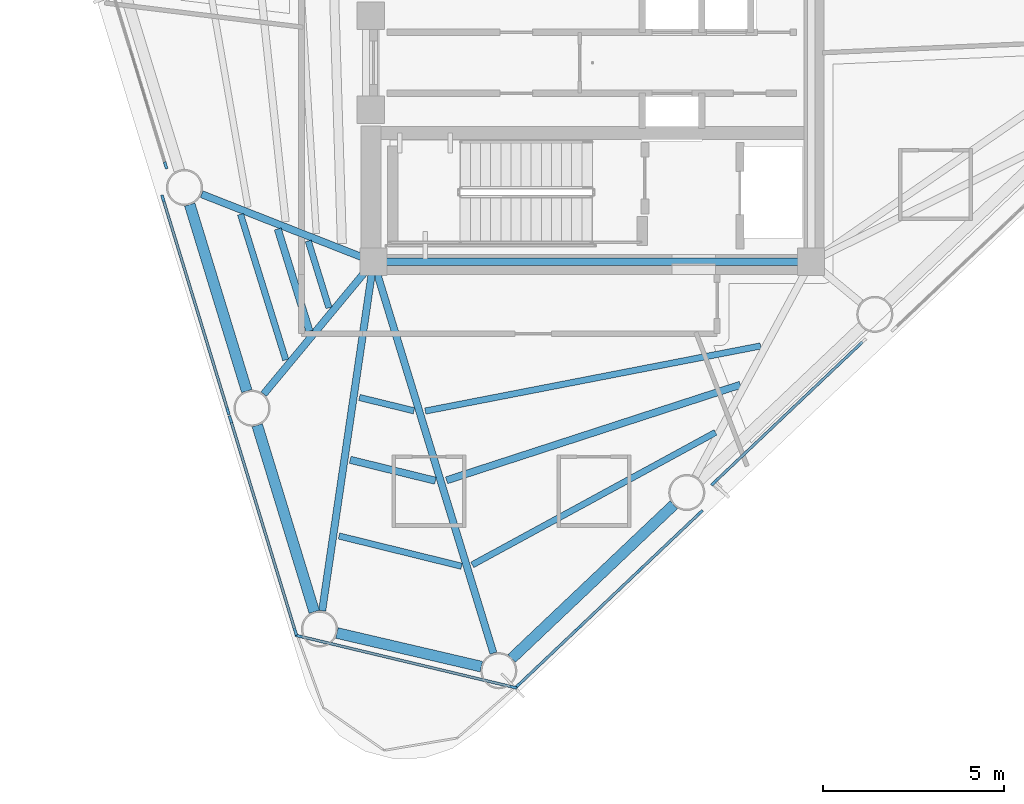
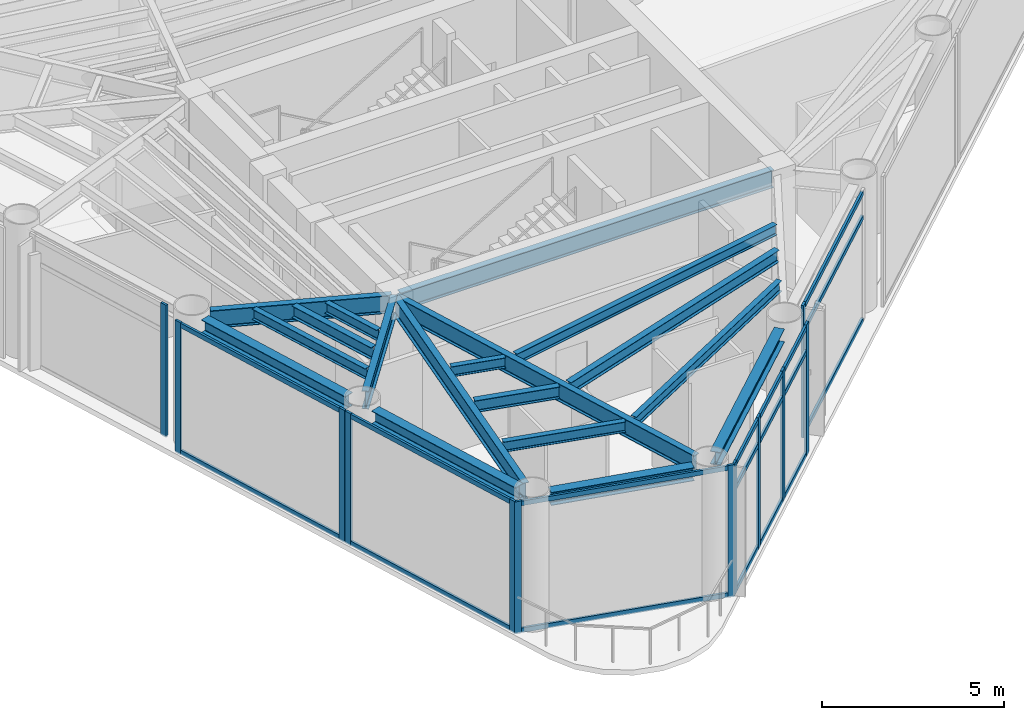
# One storey, part 2 of 11: 30 members, 18 beams, 6 elements without a shape of their own.
"""IFC4 building model written with IfcOpenShell, lengths in metres."""

from ifc_helpers import new_model, si_unit, direction, frame, origin, origin_2d, place, context, subcontext, project, spatial, rectangle, i_section, extrude, source, transform, mapped, material, layer, layer_set, material_profile, profile_set, type_object, element, aggregate, save


model = new_model("IFC4")

# Units and contexts
model_context = context("Model", 3, precision=1e-05, world=origin(), true_north=direction((0.0, 1.0)))
body_context = subcontext(model_context, "Body", "Model", "MODEL_VIEW")
ifc_project = project(units=[si_unit("LENGTHUNIT", "METRE"), si_unit("AREAUNIT", "SQUARE_METRE"), si_unit("VOLUMEUNIT", "CUBIC_METRE"), si_unit("PLANEANGLEUNIT", "RADIAN"), si_unit("MASSUNIT", "GRAM", prefix="KILO")], contexts=[model_context])

# Site, building, storey
site_placement = place(None, origin())
site = spatial("IfcSite", under=ifc_project, at=site_placement, CompositionType="ELEMENT")
building_placement = place(site_placement, origin())
building = spatial("IfcBuilding", under=site, at=building_placement, Name="Yunling Apex Tower", CompositionType="ELEMENT")
storey_placement = place(building_placement, frame((0.0, 0.0, 224.14990234375)))
storey = spatial("IfcBuildingStorey", under=building, at=storey_placement, Name="L54", CompositionType="ELEMENT", Elevation=224.14990234375)

# Beams
ifc_material_1 = material(Name="Steel Q355B", Category="steel")
ifc_material_profile_1 = material_profile(ifc_material_1, i_section(OverallWidth=0.199951171875, OverallDepth=0.60009765625, WebThickness=0.010986328125, FlangeThickness=0.01708984375, FilletRadius=0.02197265625, at=origin_2d()))
ifc_profile_set_1 = profile_set([ifc_material_profile_1], Name="Steel Q355B")
beam_type_1 = type_object("IfcBeamType", Name="BG-PRI-5", PredefinedType="USERDEFINED", material=ifc_profile_set_1)
shared_shape_1 = source(origin(), body_context, "Body", "SweptSolid", [
    extrude(i_section(OverallWidth=0.199951171875, OverallDepth=0.60009765625, WebThickness=0.010986328125, FlangeThickness=0.01708984375, FilletRadius=0.02197265625, at=origin_2d()), origin(), (0.0, 0.0, 1.0), 11.7998046875),
])
beam_1_placement = place(storey_placement, frame((-5.89990234375, -5.5, 4.02001953125), z_axis=(1.0, 0.0, 0.0), x_axis=(0.0, 1.0, 0.0)))
element("IfcBeam", 1, at=beam_1_placement, inside=storey, type_object=beam_type_1, Name="L54 Core Ring Tie Beam 1", ObjectType="GIRDER", PredefinedType="USERDEFINED", context=body_context, shape_type="MappedRepresentation", body=[
    mapped(shared_shape_1, transform((0.0, 0.0, 0.0), scale=1.0)),
])
ifc_material_profile_2 = material_profile(ifc_material_1, i_section(OverallWidth=0.300048828125, OverallDepth=0.43994140625, WebThickness=0.010986328125, FlangeThickness=0.01806640625, FilletRadius=0.02197265625, at=origin_2d()))
ifc_profile_set_2 = profile_set([ifc_material_profile_2], Name="Steel Q355B")
beam_type_2 = type_object("IfcBeamType", Name="BP-SPN-3", PredefinedType="SPANDREL", material=ifc_profile_set_2)
shared_shape_2 = source(origin(), body_context, "Body", "SweptSolid", [
    extrude(i_section(OverallWidth=0.300048828125, OverallDepth=0.43994140625, WebThickness=0.010986328125, FlangeThickness=0.01806640625, FilletRadius=0.02197265625, at=origin_2d()), origin(), (0.0, 0.0, 1.0), 6.17333984375),
])
beam_2_placement = place(storey_placement, frame((-2.228759765625, -16.468017578125, 4.10009765625), z_axis=(0.725853952128, 0.687848849807, 0.0), x_axis=(-0.687848849807, 0.725853952128, 0.0)))
element("IfcBeam", 2, at=beam_2_placement, inside=storey, type_object=beam_type_2, Name="L54 Perimeter Spandrel Beam 1", PredefinedType="SPANDREL", context=body_context, shape_type="MappedRepresentation", body=[
    mapped(shared_shape_2, transform((0.0, 0.0, 0.0), scale=1.0)),
])
shared_shape_3 = source(origin(), body_context, "Body", "SweptSolid", [
    extrude(i_section(OverallWidth=0.300048828125, OverallDepth=0.43994140625, WebThickness=0.010986328125, FlangeThickness=0.01806640625, FilletRadius=0.02197265625, at=origin_2d()), origin(), (0.0, 0.0, 1.0), 4.1015625),
])
beam_3_placement = place(storey_placement, frame((-7.06298828125, -15.765380859375, 4.10009765625), z_axis=(0.973930702249, -0.226845734401, 0.0), x_axis=(0.226845734401, 0.973930702249, 0.0)))
element("IfcBeam", 3, at=beam_3_placement, inside=storey, type_object=beam_type_2, Name="L54 Perimeter Spandrel Beam 15", PredefinedType="SPANDREL", context=body_context, shape_type="MappedRepresentation", body=[
    mapped(shared_shape_3, transform((0.0, 0.0, 0.0), scale=1.0)),
])
shared_shape_4 = source(origin(), body_context, "Body", "SweptSolid", [
    extrude(i_section(OverallWidth=0.300048828125, OverallDepth=0.43994140625, WebThickness=0.010986328125, FlangeThickness=0.01806640625, FilletRadius=0.02197265625, at=origin_2d()), origin(), (0.0, 0.0, 1.0), 5.393798828125),
])
for number, where, z_axis, x_axis, name in (
    (4, (-11.13134765625, -3.919921875, 4.10009765625), (0.292405975038, -0.956294277805, 0.0), (0.956294277805, 0.292405975038, 0.0), "L54 Perimeter Spandrel Beam 13"),
    (5, (-9.265380859375, -10.022705078125, 4.10009765625), (0.292351925226, -0.956310802938, 0.0), (0.956310802938, 0.292351925226, 0.0), "L54 Perimeter Spandrel Beam 14"),
):
    element("IfcBeam", number, at=place(storey_placement, frame(where, z_axis=z_axis, x_axis=x_axis)), inside=storey, type_object=beam_type_2, Name=name, PredefinedType="SPANDREL", context=body_context, shape_type="MappedRepresentation", body=[
        mapped(shared_shape_4, transform((0.0, 0.0, 0.0), scale=1.0)),
    ])
shared_shape_5 = source(origin(), body_context, "Body", "SweptSolid", [
    extrude(i_section(OverallWidth=0.199951171875, OverallDepth=0.60009765625, WebThickness=0.010986328125, FlangeThickness=0.01708984375, FilletRadius=0.02197265625, at=origin_2d()), origin(), (0.0, 0.0, 1.0), 11.23828125),
])
beam_4_placement = place(storey_placement, frame((-2.736083984375, -16.322265625, 4.02001953125), z_axis=(-0.292794126511, 0.956175506631, 0.0), x_axis=(-0.956175506631, -0.292794126511, 0.0)))
element("IfcBeam", 6, at=beam_4_placement, inside=storey, type_object=beam_type_1, Name="L54 Radial Primary Girder R01", ObjectType="GIRDER", PredefinedType="USERDEFINED", context=body_context, shape_type="MappedRepresentation", body=[
    mapped(shared_shape_5, transform((0.0, 0.0, 0.0), scale=1.0)),
])
shared_shape_6 = source(origin(), body_context, "Body", "SweptSolid", [
    extrude(i_section(OverallWidth=0.199951171875, OverallDepth=0.60009765625, WebThickness=0.010986328125, FlangeThickness=0.01708984375, FilletRadius=0.02197265625, at=origin_2d()), origin(), (0.0, 0.0, 1.0), 5.0263671875),
])
beam_5_placement = place(storey_placement, frame((-10.802978515625, -3.633056640625, 4.02001953125), z_axis=(0.930773335483, -0.365596769617, 0.0), x_axis=(0.365596769617, 0.930773335483, 0.0)))
element("IfcBeam", 7, at=beam_5_placement, inside=storey, type_object=beam_type_1, Name="L54 Radial Primary Girder R13", ObjectType="GIRDER", PredefinedType="USERDEFINED", context=body_context, shape_type="MappedRepresentation", body=[
    mapped(shared_shape_6, transform((0.0, 0.0, 0.0), scale=1.0)),
])
shared_shape_7 = source(origin(), body_context, "Body", "SweptSolid", [
    extrude(i_section(OverallWidth=0.199951171875, OverallDepth=0.60009765625, WebThickness=0.010986328125, FlangeThickness=0.01708984375, FilletRadius=0.02197265625, at=origin_2d()), origin(), (0.0, 0.0, 1.0), 4.6748046875),
])
beam_6_placement = place(storey_placement, frame((-9.085693359375, -9.159423828125, 4.02001953125), z_axis=(0.63846190647, 0.769653424593, 0.0), x_axis=(-0.769653424593, 0.63846190647, 0.0)))
element("IfcBeam", 8, at=beam_6_placement, inside=storey, type_object=beam_type_1, Name="L54 Radial Primary Girder R14", ObjectType="GIRDER", PredefinedType="USERDEFINED", context=body_context, shape_type="MappedRepresentation", body=[
    mapped(shared_shape_7, transform((0.0, 0.0, 0.0), scale=1.0)),
])
shared_shape_8 = source(origin(), body_context, "Body", "SweptSolid", [
    extrude(i_section(OverallWidth=0.199951171875, OverallDepth=0.60009765625, WebThickness=0.010986328125, FlangeThickness=0.01708984375, FilletRadius=0.02197265625, at=origin_2d()), origin(), (0.0, 0.0, 1.0), 9.6748046875),
])
beam_7_placement = place(storey_placement, frame((-7.469970703125, -15.15087890625, 4.02001953125), z_axis=(0.145578261909, 0.989346738843, 0.0), x_axis=(-0.989346738843, 0.145578261909, 0.0)))
element("IfcBeam", 9, at=beam_7_placement, inside=storey, type_object=beam_type_1, Name="L54 Radial Primary Girder R15", ObjectType="GIRDER", PredefinedType="USERDEFINED", context=body_context, shape_type="MappedRepresentation", body=[
    mapped(shared_shape_8, transform((0.0, 0.0, 0.0), scale=1.0)),
])
ifc_material_profile_3 = material_profile(ifc_material_1, i_section(OverallWidth=0.199951171875, OverallDepth=0.39990234375, WebThickness=0.008056640625, FlangeThickness=0.012939453125, FilletRadius=0.01611328125, at=origin_2d()))
ifc_profile_set_3 = profile_set([ifc_material_profile_3], Name="Steel Q355B")
beam_type_3 = type_object("IfcBeamType", Name="BS-SEC-4", PredefinedType="BEAM", material=ifc_profile_set_3)
shared_shape_9 = source(origin(), body_context, "Body", "SweptSolid", [
    extrude(i_section(OverallWidth=0.199951171875, OverallDepth=0.39990234375, WebThickness=0.008056640625, FlangeThickness=0.012939453125, FilletRadius=0.01611328125, at=origin_2d()), origin(), (0.0, 0.0, 1.0), 8.540283203125),
])
beam_8_placement = place(storey_placement, frame((-4.03173828125, -11.544677734375, 4.1201171875), z_axis=(0.950990153104, 0.309221164702, 0.0), x_axis=(-0.309221164702, 0.950990153104, 0.0)))
element("IfcBeam", 10, at=beam_8_placement, inside=storey, type_object=beam_type_3, Name="L54 Composite Floor Beam BS-1", PredefinedType="BEAM", context=body_context, shape_type="MappedRepresentation", body=[
    mapped(shared_shape_9, transform((0.0, 0.0, 0.0), scale=1.0)),
])
ifc_material_profile_4 = material_profile(ifc_material_1, i_section(OverallWidth=0.175048828125, OverallDepth=0.35009765625, WebThickness=0.007080078125, FlangeThickness=0.010986328125, FilletRadius=0.013916015625, at=origin_2d()))
ifc_profile_set_4 = profile_set([ifc_material_profile_4], Name="Steel Q355B")
beam_type_4 = type_object("IfcBeamType", Name="BJ-JST-1", PredefinedType="JOIST", material=ifc_profile_set_4)
shared_shape_10 = source(origin(), body_context, "Body", "SweptSolid", [
    extrude(i_section(OverallWidth=0.175048828125, OverallDepth=0.35009765625, WebThickness=0.007080078125, FlangeThickness=0.010986328125, FilletRadius=0.013916015625, at=origin_2d()), origin(), (0.0, 0.0, 1.0), 7.657470703125),
])
beam_9_placement = place(storey_placement, frame((-3.3193359375, -13.881591796875, 4.14501953125), z_axis=(0.878333844235, 0.478047757104, 0.0), x_axis=(-0.478047757104, 0.878333844235, 0.0)))
element("IfcBeam", 11, at=beam_9_placement, inside=storey, type_object=beam_type_4, Name="L54 Composite Floor Joist BJ1-1", PredefinedType="JOIST", context=body_context, shape_type="MappedRepresentation", body=[
    mapped(shared_shape_10, transform((0.0, 0.0, 0.0), scale=1.0)),
])
shared_shape_11 = source(origin(), body_context, "Body", "SweptSolid", [
    extrude(i_section(OverallWidth=0.175048828125, OverallDepth=0.35009765625, WebThickness=0.007080078125, FlangeThickness=0.010986328125, FilletRadius=0.013916015625, at=origin_2d()), origin(), (0.0, 0.0, 1.0), 9.4462890625),
])
beam_10_placement = place(storey_placement, frame((-4.619140625, -9.62939453125, 4.14501953125), z_axis=(0.981676272709, 0.190556279353, 0.0), x_axis=(-0.190556279353, 0.981676272709, 0.0)))
element("IfcBeam", 12, at=beam_10_placement, inside=storey, type_object=beam_type_4, Name="L54 Composite Floor Joist BJ3-1", PredefinedType="JOIST", context=body_context, shape_type="MappedRepresentation", body=[
    mapped(shared_shape_11, transform((0.0, 0.0, 0.0), scale=1.0)),
])
shared_shape_12 = source(origin(), body_context, "Body", "SweptSolid", [
    extrude(i_section(OverallWidth=0.199951171875, OverallDepth=0.39990234375, WebThickness=0.008056640625, FlangeThickness=0.012939453125, FilletRadius=0.01611328125, at=origin_2d()), origin(), (0.0, 0.0, 1.0), 2.9619140625),
])
beam_11_placement = place(storey_placement, frame((-8.697021484375, -4.594482421875, 4.1201171875), z_axis=(0.296152913488, -0.955140540356, 0.0), x_axis=(0.955140540356, 0.296152913488, 0.0)))
element("IfcBeam", 13, at=beam_11_placement, inside=storey, type_object=beam_type_3, Name="L54 Composite Floor Beam BS-13", PredefinedType="BEAM", context=body_context, shape_type="MappedRepresentation", body=[
    mapped(shared_shape_12, transform((0.0, 0.0, 0.0), scale=1.0)),
])
shared_shape_13 = source(origin(), body_context, "Body", "SweptSolid", [
    extrude(i_section(OverallWidth=0.175048828125, OverallDepth=0.35009765625, WebThickness=0.007080078125, FlangeThickness=0.010986328125, FilletRadius=0.013916015625, at=origin_2d()), origin(), (0.0, 0.0, 1.0), 4.21435546875),
])
beam_12_placement = place(storey_placement, frame((-9.726318359375, -4.190185546875, 4.14501953125), z_axis=(0.296539510889, -0.955020585371, 0.0), x_axis=(0.955020585371, 0.296539510889, 0.0)))
element("IfcBeam", 14, at=beam_12_placement, inside=storey, type_object=beam_type_4, Name="L54 Composite Floor Joist BJ1-13", PredefinedType="JOIST", context=body_context, shape_type="MappedRepresentation", body=[
    mapped(shared_shape_13, transform((0.0, 0.0, 0.0), scale=1.0)),
])
shared_shape_14 = source(origin(), body_context, "Body", "SweptSolid", [
    extrude(i_section(OverallWidth=0.175048828125, OverallDepth=0.35009765625, WebThickness=0.007080078125, FlangeThickness=0.010986328125, FilletRadius=0.013916015625, at=origin_2d()), origin(), (0.0, 0.0, 1.0), 1.93701171875),
])
beam_13_placement = place(storey_placement, frame((-7.85498046875, -4.92529296875, 4.14501953125), z_axis=(0.295546803782, -0.955328261266, 0.0), x_axis=(0.955328261266, 0.295546803782, 0.0)))
element("IfcBeam", 15, at=beam_13_placement, inside=storey, type_object=beam_type_4, Name="L54 Composite Floor Joist BJ3-13", PredefinedType="JOIST", context=body_context, shape_type="MappedRepresentation", body=[
    mapped(shared_shape_14, transform((0.0, 0.0, 0.0), scale=1.0)),
])
shared_shape_15 = source(origin(), body_context, "Body", "SweptSolid", [
    extrude(i_section(OverallWidth=0.199951171875, OverallDepth=0.39990234375, WebThickness=0.008056640625, FlangeThickness=0.012939453125, FilletRadius=0.01611328125, at=origin_2d()), origin(), (0.0, 0.0, 1.0), 2.42578125),
])
beam_14_placement = place(storey_placement, frame((-6.69482421875, -10.977294921875, 4.1201171875), z_axis=(0.971134786196, -0.23853139634, 0.0), x_axis=(0.23853139634, 0.971134786196, 0.0)))
element("IfcBeam", 16, at=beam_14_placement, inside=storey, type_object=beam_type_3, Name="L54 Composite Floor Beam BS-15", PredefinedType="BEAM", context=body_context, shape_type="MappedRepresentation", body=[
    mapped(shared_shape_15, transform((0.0, 0.0, 0.0), scale=1.0)),
])
shared_shape_16 = source(origin(), body_context, "Body", "SweptSolid", [
    extrude(i_section(OverallWidth=0.175048828125, OverallDepth=0.35009765625, WebThickness=0.007080078125, FlangeThickness=0.010986328125, FilletRadius=0.013916015625, at=origin_2d()), origin(), (0.0, 0.0, 1.0), 3.4912109375),
])
beam_15_placement = place(storey_placement, frame((-7.0048828125, -13.08349609375, 4.14501953125), z_axis=(0.970878392095, -0.239572844376, 0.0), x_axis=(0.239572844376, 0.970878392095, 0.0)))
element("IfcBeam", 17, at=beam_15_placement, inside=storey, type_object=beam_type_4, Name="L54 Composite Floor Joist BJ1-15", PredefinedType="JOIST", context=body_context, shape_type="MappedRepresentation", body=[
    mapped(shared_shape_16, transform((0.0, 0.0, 0.0), scale=1.0)),
])
shared_shape_17 = source(origin(), body_context, "Body", "SweptSolid", [
    extrude(i_section(OverallWidth=0.175048828125, OverallDepth=0.35009765625, WebThickness=0.007080078125, FlangeThickness=0.010986328125, FilletRadius=0.013916015625, at=origin_2d()), origin(), (0.0, 0.0, 1.0), 1.553955078125),
])
beam_16_placement = place(storey_placement, frame((-6.44140625, -9.254150390625, 4.14501953125), z_axis=(0.971567073494, -0.23676448573, 0.0), x_axis=(0.23676448573, 0.971567073494, 0.0)))
element("IfcBeam", 18, at=beam_16_placement, inside=storey, type_object=beam_type_4, Name="L54 Composite Floor Joist BJ3-15", PredefinedType="JOIST", context=body_context, shape_type="MappedRepresentation", body=[
    mapped(shared_shape_17, transform((0.0, 0.0, 0.0), scale=1.0)),
])

# Curtain wall, members
ifc_material_2 = material(Name="Bronze anodised aluminium", Category="aluminium")
ifc_layer = layer(ifc_material_2, 0.199951171875)
ifc_layer_set = layer_set([ifc_layer], Name="Bronze anodised aluminium")
curtain_wall_type = type_object("IfcCurtainWallType", Name="CW-SYS-5", PredefinedType="NOTDEFINED", material=ifc_layer_set)
curtain_wall_1_placement = place(storey_placement, origin())
curtain_wall_1 = element("IfcCurtainWall", 19, at=curtain_wall_1_placement, inside=storey, type_object=curtain_wall_type, Name="CW-L54-F1-B1", PredefinedType="NOTDEFINED")
ifc_material_profile_5 = material_profile(ifc_material_2, rectangle(XDim=0.074951171875, YDim=0.199951171875, at=origin_2d()))
ifc_profile_set_5 = profile_set([ifc_material_profile_5], Name="Bronze anodised aluminium")
member_type_1 = type_object("IfcMemberType", Name="CW-MUL-5", PredefinedType="MULLION", material=ifc_profile_set_5)
shared_shape_18 = source(origin(), body_context, "Body", "SweptSolid", [
    extrude(rectangle(XDim=0.074951171875, YDim=0.199951171875, at=origin_2d()), origin(), (0.0, 0.0, 1.0), 4.419921875),
])
member_1_placement = place(storey_placement, frame((-2.048095703125, -17.2060546875, -0.0498046875), z_axis=(0.0, 0.0, 1.0), x_axis=(-0.687848040467, 0.72585471909, 0.0)))
member_1 = element("IfcMember", 20, at=member_1_placement, type_object=member_type_1, Name="CW-SYS-5 mullion 1", PredefinedType="MULLION", context=body_context, shape_type="MappedRepresentation", body=[
    mapped(shared_shape_18, transform((0.0, 0.0, 0.0), scale=1.0)),
])
member_2_placement = place(storey_placement, frame((-0.38134765625, -15.626708984375, -0.0498046875), z_axis=(0.0, 0.0, 1.0), x_axis=(-0.687848040467, 0.72585471909, 0.0)))
member_2 = element("IfcMember", 21, at=member_2_placement, type_object=member_type_1, Name="CW-SYS-5 mullion 2", PredefinedType="MULLION", context=body_context, shape_type="MappedRepresentation", body=[
    mapped(shared_shape_18, transform((0.0, 0.0, 0.0), scale=1.0)),
])
member_3_placement = place(storey_placement, frame((1.312744140625, -14.021240234375, -0.0498046875), z_axis=(0.0, 0.0, 1.0), x_axis=(-0.687848040467, 0.72585471909, 0.0)))
member_3 = element("IfcMember", 22, at=member_3_placement, type_object=member_type_1, Name="CW-SYS-5 mullion 3", PredefinedType="MULLION", context=body_context, shape_type="MappedRepresentation", body=[
    mapped(shared_shape_18, transform((0.0, 0.0, 0.0), scale=1.0)),
])
member_4_placement = place(storey_placement, frame((2.9794921875, -12.44189453125, -0.0498046875), z_axis=(0.0, 0.0, 1.0), x_axis=(-0.687848040467, 0.72585471909, 0.0)))
member_4 = element("IfcMember", 23, at=member_4_placement, type_object=member_type_1, Name="CW-SYS-5 mullion 4", PredefinedType="MULLION", context=body_context, shape_type="MappedRepresentation", body=[
    mapped(shared_shape_18, transform((0.0, 0.0, 0.0), scale=1.0)),
])

# Curtain wall, member
curtain_wall_2_placement = place(storey_placement, origin())
curtain_wall_2 = element("IfcCurtainWall", 24, at=curtain_wall_2_placement, inside=storey, type_object=curtain_wall_type, Name="CW-L54-F1-B2", PredefinedType="NOTDEFINED")
member_5_placement = place(storey_placement, frame((3.3662109375, -11.60693359375, -0.0498046875), z_axis=(0.0, 0.0, 1.0), x_axis=(-0.687854406681, 0.725848686167, 0.0)))
member_5 = element("IfcMember", 25, at=member_5_placement, type_object=member_type_1, Name="CW-SYS-5 mullion 1", PredefinedType="MULLION", context=body_context, shape_type="MappedRepresentation", body=[
    mapped(shared_shape_18, transform((0.0, 0.0, 0.0), scale=1.0)),
])

curtain_wall_3_placement = place(storey_placement, origin())
curtain_wall_3 = element("IfcCurtainWall", 26, at=curtain_wall_3_placement, inside=storey, type_object=curtain_wall_type, Name="CW-L54-F3-B2", PredefinedType="NOTDEFINED")
member_6_placement = place(storey_placement, frame((-11.79736328125, -2.835693359375, -0.0498046875), z_axis=(0.0, 0.0, 1.0), x_axis=(0.956304345474, 0.29237304737, 0.0)))
member_6 = element("IfcMember", 27, at=member_6_placement, type_object=member_type_1, Name="CW-SYS-5 mullion 2", PredefinedType="MULLION", context=body_context, shape_type="MappedRepresentation", body=[
    mapped(shared_shape_18, transform((0.0, 0.0, 0.0), scale=1.0)),
])
aggregate(curtain_wall_3, [member_6])

# Curtain wall, members
curtain_wall_4_placement = place(storey_placement, origin())
curtain_wall_4 = element("IfcCurtainWall", 28, at=curtain_wall_4_placement, inside=storey, type_object=curtain_wall_type, Name="CW-L54-F3-B3", PredefinedType="NOTDEFINED")
member_7_placement = place(storey_placement, frame((-11.87255859375, -3.752685546875, -0.0498046875), z_axis=(0.0, 0.0, 1.0), x_axis=(0.956304646078, 0.29237206414, 0.0)))
member_7 = element("IfcMember", 29, at=member_7_placement, type_object=member_type_1, Name="CW-SYS-5 mullion 1", PredefinedType="MULLION", context=body_context, shape_type="MappedRepresentation", body=[
    mapped(shared_shape_18, transform((0.0, 0.0, 0.0), scale=1.0)),
])
member_8_placement = place(storey_placement, frame((-10.075439453125, -9.631103515625, -0.0498046875), z_axis=(0.0, 0.0, 1.0), x_axis=(0.956304646078, 0.29237206414, 0.0)))
member_8 = element("IfcMember", 30, at=member_8_placement, type_object=member_type_1, Name="CW-SYS-5 mullion 2", PredefinedType="MULLION", context=body_context, shape_type="MappedRepresentation", body=[
    mapped(shared_shape_18, transform((0.0, 0.0, 0.0), scale=1.0)),
])

curtain_wall_5_placement = place(storey_placement, origin())
curtain_wall_5 = element("IfcCurtainWall", 31, at=curtain_wall_5_placement, inside=storey, type_object=curtain_wall_type, Name="CW-L54-F3-B4", PredefinedType="NOTDEFINED")
member_9_placement = place(storey_placement, frame((-10.006591796875, -9.855712890625, -0.0498046875), z_axis=(0.0, 0.0, 1.0), x_axis=(0.956304646078, 0.29237206414, 0.0)))
member_9 = element("IfcMember", 32, at=member_9_placement, type_object=member_type_1, Name="CW-SYS-5 mullion 1", PredefinedType="MULLION", context=body_context, shape_type="MappedRepresentation", body=[
    mapped(shared_shape_18, transform((0.0, 0.0, 0.0), scale=1.0)),
])
member_10_placement = place(storey_placement, frame((-8.20947265625, -15.734130859375, -0.0498046875), z_axis=(0.0, 0.0, 1.0), x_axis=(0.956304646078, 0.29237206414, 0.0)))
member_10 = element("IfcMember", 33, at=member_10_placement, type_object=member_type_1, Name="CW-SYS-5 mullion 2", PredefinedType="MULLION", context=body_context, shape_type="MappedRepresentation", body=[
    mapped(shared_shape_18, transform((0.0, 0.0, 0.0), scale=1.0)),
])

curtain_wall_6_placement = place(storey_placement, origin())
curtain_wall_6 = element("IfcCurtainWall", 34, at=curtain_wall_6_placement, inside=storey, type_object=curtain_wall_type, Name="CW-L54-CRN3", PredefinedType="NOTDEFINED")
member_11_placement = place(storey_placement, frame((-8.11962890625, -15.84912109375, -0.0498046875), z_axis=(0.0, 0.0, 1.0), x_axis=(0.231809474992, 0.97276120775, 0.0)))
member_11 = element("IfcMember", 35, at=member_11_placement, type_object=member_type_1, Name="CW-SYS-5 mullion 1", PredefinedType="MULLION", context=body_context, shape_type="MappedRepresentation", body=[
    mapped(shared_shape_18, transform((0.0, 0.0, 0.0), scale=1.0)),
])
member_12_placement = place(storey_placement, frame((-2.18359375, -17.263671875, -0.0498046875), z_axis=(0.0, 0.0, 1.0), x_axis=(0.231809474992, 0.97276120775, 0.0)))
member_12 = element("IfcMember", 36, at=member_12_placement, type_object=member_type_1, Name="CW-SYS-5 mullion 2", PredefinedType="MULLION", context=body_context, shape_type="MappedRepresentation", body=[
    mapped(shared_shape_18, transform((0.0, 0.0, 0.0), scale=1.0)),
])

# Member
ifc_material_profile_6 = material_profile(ifc_material_2, rectangle(XDim=0.074951171875, YDim=0.155029296875, at=origin_2d()))
ifc_profile_set_6 = profile_set([ifc_material_profile_6], Name="Bronze anodised aluminium")
member_type_2 = type_object("IfcMemberType", Name="CW-TRN-5", PredefinedType="USERDEFINED", material=ifc_profile_set_6)
shared_shape_19 = source(origin(), body_context, "Body", "SweptSolid", [
    extrude(rectangle(XDim=0.074951171875, YDim=0.155029296875, at=origin_2d()), origin(), (0.0, 0.0, 1.0), 2.228759765625),
])
member_13_placement = place(storey_placement, frame((-2.023681640625, -17.182861328125, 0.03759765625), z_axis=(0.725909506843, 0.687790220834, 0.0), x_axis=(-0.687790220834, 0.725909506843, 0.0)))
member_13 = element("IfcMember", 37, at=member_13_placement, type_object=member_type_2, Name="CW-SYS-5 transom 1.1", ObjectType="TRANSOM", PredefinedType="USERDEFINED", context=body_context, shape_type="MappedRepresentation", body=[
    mapped(shared_shape_19, transform((0.0, 0.0, 0.0), scale=1.0)),
])

member_14_placement = place(storey_placement, frame((-2.023681640625, -17.182861328125, 3.47021484375), z_axis=(0.725909506843, 0.687790220834, 0.0), x_axis=(-0.687790220834, 0.725909506843, 0.0)))
member_14 = element("IfcMember", 38, at=member_14_placement, type_object=member_type_2, Name="CW-SYS-5 transom 1.2", ObjectType="TRANSOM", PredefinedType="USERDEFINED", context=body_context, shape_type="MappedRepresentation", body=[
    mapped(shared_shape_19, transform((0.0, 0.0, 0.0), scale=1.0)),
])

member_15_placement = place(storey_placement, frame((-2.023681640625, -17.182861328125, 4.28271484375), z_axis=(0.725909506843, 0.687790220834, 0.0), x_axis=(-0.687790220834, 0.725909506843, 0.0)))
member_15 = element("IfcMember", 39, at=member_15_placement, type_object=member_type_2, Name="CW-SYS-5 transom 1.3", ObjectType="TRANSOM", PredefinedType="USERDEFINED", context=body_context, shape_type="MappedRepresentation", body=[
    mapped(shared_shape_19, transform((0.0, 0.0, 0.0), scale=1.0)),
])

member_16_placement = place(storey_placement, frame((1.337158203125, -13.998046875, 0.03759765625), z_axis=(0.725909506843, 0.687790220834, 0.0), x_axis=(-0.687790220834, 0.725909506843, 0.0)))
member_16 = element("IfcMember", 40, at=member_16_placement, type_object=member_type_2, Name="CW-SYS-5 transom 3.1", ObjectType="TRANSOM", PredefinedType="USERDEFINED", context=body_context, shape_type="MappedRepresentation", body=[
    mapped(shared_shape_19, transform((0.0, 0.0, 0.0), scale=1.0)),
])

member_17_placement = place(storey_placement, frame((1.337158203125, -13.998046875, 3.47021484375), z_axis=(0.725909506843, 0.687790220834, 0.0), x_axis=(-0.687790220834, 0.725909506843, 0.0)))
member_17 = element("IfcMember", 41, at=member_17_placement, type_object=member_type_2, Name="CW-SYS-5 transom 3.2", ObjectType="TRANSOM", PredefinedType="USERDEFINED", context=body_context, shape_type="MappedRepresentation", body=[
    mapped(shared_shape_19, transform((0.0, 0.0, 0.0), scale=1.0)),
])

member_18_placement = place(storey_placement, frame((1.337158203125, -13.998046875, 4.28271484375), z_axis=(0.725909506843, 0.687790220834, 0.0), x_axis=(-0.687790220834, 0.725909506843, 0.0)))
member_18 = element("IfcMember", 42, at=member_18_placement, type_object=member_type_2, Name="CW-SYS-5 transom 3.3", ObjectType="TRANSOM", PredefinedType="USERDEFINED", context=body_context, shape_type="MappedRepresentation", body=[
    mapped(shared_shape_19, transform((0.0, 0.0, 0.0), scale=1.0)),
])

shared_shape_20 = source(origin(), body_context, "Body", "SweptSolid", [
    extrude(rectangle(XDim=0.074951171875, YDim=0.155029296875, at=origin_2d()), origin(), (0.0, 0.0, 1.0), 2.26611328125),
])
member_19_placement = place(storey_placement, frame((-0.356689453125, -15.603271484375, 0.03759765625), z_axis=(0.725813949874, 0.687891059811, 0.0), x_axis=(-0.687891059811, 0.725813949874, 0.0)))
member_19 = element("IfcMember", 43, at=member_19_placement, type_object=member_type_2, Name="CW-SYS-5 transom 2.1", ObjectType="TRANSOM", PredefinedType="USERDEFINED", context=body_context, shape_type="MappedRepresentation", body=[
    mapped(shared_shape_20, transform((0.0, 0.0, 0.0), scale=1.0)),
])

member_20_placement = place(storey_placement, frame((-0.356689453125, -15.603271484375, 3.47021484375), z_axis=(0.725813949874, 0.687891059811, 0.0), x_axis=(-0.687891059811, 0.725813949874, 0.0)))
member_20 = element("IfcMember", 44, at=member_20_placement, type_object=member_type_2, Name="CW-SYS-5 transom 2.2", ObjectType="TRANSOM", PredefinedType="USERDEFINED", context=body_context, shape_type="MappedRepresentation", body=[
    mapped(shared_shape_20, transform((0.0, 0.0, 0.0), scale=1.0)),
])

member_21_placement = place(storey_placement, frame((-0.356689453125, -15.603271484375, 4.28271484375), z_axis=(0.725813949874, 0.687891059811, 0.0), x_axis=(-0.687891059811, 0.725813949874, 0.0)))
member_21 = element("IfcMember", 45, at=member_21_placement, type_object=member_type_2, Name="CW-SYS-5 transom 2.3", ObjectType="TRANSOM", PredefinedType="USERDEFINED", context=body_context, shape_type="MappedRepresentation", body=[
    mapped(shared_shape_20, transform((0.0, 0.0, 0.0), scale=1.0)),
])

aggregate(curtain_wall_1, [member_1, member_2, member_3, member_4, member_13, member_14, member_15, member_19, member_20, member_21, member_16, member_17, member_18])

shared_shape_21 = source(origin(), body_context, "Body", "SweptSolid", [
    extrude(rectangle(XDim=0.074951171875, YDim=0.155029296875, at=origin_2d()), origin(), (0.0, 0.0, 1.0), 5.618896484375),
])
member_22_placement = place(storey_placement, frame((3.390625, -11.583740234375, 0.03759765625), z_axis=(0.72586019742, 0.687842259389, 0.0), x_axis=(-0.687842259389, 0.72586019742, 0.0)))
member_22 = element("IfcMember", 46, at=member_22_placement, type_object=member_type_2, Name="CW-SYS-5 transom 1.1", ObjectType="TRANSOM", PredefinedType="USERDEFINED", context=body_context, shape_type="MappedRepresentation", body=[
    mapped(shared_shape_21, transform((0.0, 0.0, 0.0), scale=1.0)),
])

member_23_placement = place(storey_placement, frame((3.390625, -11.583740234375, 3.47021484375), z_axis=(0.72586019742, 0.687842259389, 0.0), x_axis=(-0.687842259389, 0.72586019742, 0.0)))
member_23 = element("IfcMember", 47, at=member_23_placement, type_object=member_type_2, Name="CW-SYS-5 transom 1.2", ObjectType="TRANSOM", PredefinedType="USERDEFINED", context=body_context, shape_type="MappedRepresentation", body=[
    mapped(shared_shape_21, transform((0.0, 0.0, 0.0), scale=1.0)),
])

member_24_placement = place(storey_placement, frame((3.390625, -11.583740234375, 4.28271484375), z_axis=(0.72586019742, 0.687842259389, 0.0), x_axis=(-0.687842259389, 0.72586019742, 0.0)))
member_24 = element("IfcMember", 48, at=member_24_placement, type_object=member_type_2, Name="CW-SYS-5 transom 1.3", ObjectType="TRANSOM", PredefinedType="USERDEFINED", context=body_context, shape_type="MappedRepresentation", body=[
    mapped(shared_shape_21, transform((0.0, 0.0, 0.0), scale=1.0)),
])

aggregate(curtain_wall_2, [member_5, member_22, member_23, member_24])

shared_shape_22 = source(origin(), body_context, "Body", "SweptSolid", [
    extrude(rectangle(XDim=0.074951171875, YDim=0.155029296875, at=origin_2d()), origin(), (0.0, 0.0, 1.0), 6.079345703125),
])
member_25_placement = place(storey_placement, frame((-11.862548828125, -3.78515625, 0.03759765625), z_axis=(0.292358309982, -0.956308851044, 0.0), x_axis=(0.956308851044, 0.292358309982, 0.0)))
member_25 = element("IfcMember", 49, at=member_25_placement, type_object=member_type_2, Name="CW-SYS-5 transom 1.1", ObjectType="TRANSOM", PredefinedType="USERDEFINED", context=body_context, shape_type="MappedRepresentation", body=[
    mapped(shared_shape_22, transform((0.0, 0.0, 0.0), scale=1.0)),
])

member_26_placement = place(storey_placement, frame((-11.862548828125, -3.78515625, 4.28271484375), z_axis=(0.292358309982, -0.956308851044, 0.0), x_axis=(0.956308851044, 0.292358309982, 0.0)))
member_26 = element("IfcMember", 50, at=member_26_placement, type_object=member_type_2, Name="CW-SYS-5 transom 1.2", ObjectType="TRANSOM", PredefinedType="USERDEFINED", context=body_context, shape_type="MappedRepresentation", body=[
    mapped(shared_shape_22, transform((0.0, 0.0, 0.0), scale=1.0)),
])

aggregate(curtain_wall_4, [member_7, member_8, member_25, member_26])

member_27_placement = place(storey_placement, frame((-9.996826171875, -9.887939453125, 0.03759765625), z_axis=(0.292395035909, -0.956297622592, 0.0), x_axis=(0.956297622592, 0.292395035909, 0.0)))
member_27 = element("IfcMember", 51, at=member_27_placement, type_object=member_type_2, Name="CW-SYS-5 transom 1.1", ObjectType="TRANSOM", PredefinedType="USERDEFINED", context=body_context, shape_type="MappedRepresentation", body=[
    mapped(shared_shape_22, transform((0.0, 0.0, 0.0), scale=1.0)),
])

member_28_placement = place(storey_placement, frame((-9.996826171875, -9.887939453125, 4.28271484375), z_axis=(0.292395035909, -0.956297622592, 0.0), x_axis=(0.956297622592, 0.292395035909, 0.0)))
member_28 = element("IfcMember", 52, at=member_28_placement, type_object=member_type_2, Name="CW-SYS-5 transom 1.2", ObjectType="TRANSOM", PredefinedType="USERDEFINED", context=body_context, shape_type="MappedRepresentation", body=[
    mapped(shared_shape_22, transform((0.0, 0.0, 0.0), scale=1.0)),
])

aggregate(curtain_wall_5, [member_9, member_10, member_27, member_28])

shared_shape_23 = source(origin(), body_context, "Body", "SweptSolid", [
    extrude(rectangle(XDim=0.074951171875, YDim=0.155029296875, at=origin_2d()), origin(), (0.0, 0.0, 1.0), 6.034423828125),
])
member_29_placement = place(storey_placement, frame((-8.086669921875, -15.85693359375, 0.03759765625), z_axis=(0.972758443827, -0.231821073163, 0.0), x_axis=(0.231821073163, 0.972758443827, 0.0)))
member_29 = element("IfcMember", 53, at=member_29_placement, type_object=member_type_2, Name="CW-SYS-5 transom 1.1", ObjectType="TRANSOM", PredefinedType="USERDEFINED", context=body_context, shape_type="MappedRepresentation", body=[
    mapped(shared_shape_23, transform((0.0, 0.0, 0.0), scale=1.0)),
])

member_30_placement = place(storey_placement, frame((-8.086669921875, -15.85693359375, 4.28271484375), z_axis=(0.972758443827, -0.231821073163, 0.0), x_axis=(0.231821073163, 0.972758443827, 0.0)))
member_30 = element("IfcMember", 54, at=member_30_placement, type_object=member_type_2, Name="CW-SYS-5 transom 1.2", ObjectType="TRANSOM", PredefinedType="USERDEFINED", context=body_context, shape_type="MappedRepresentation", body=[
    mapped(shared_shape_23, transform((0.0, 0.0, 0.0), scale=1.0)),
])

aggregate(curtain_wall_6, [member_11, member_12, member_29, member_30])

save(model, "model.ifc")
